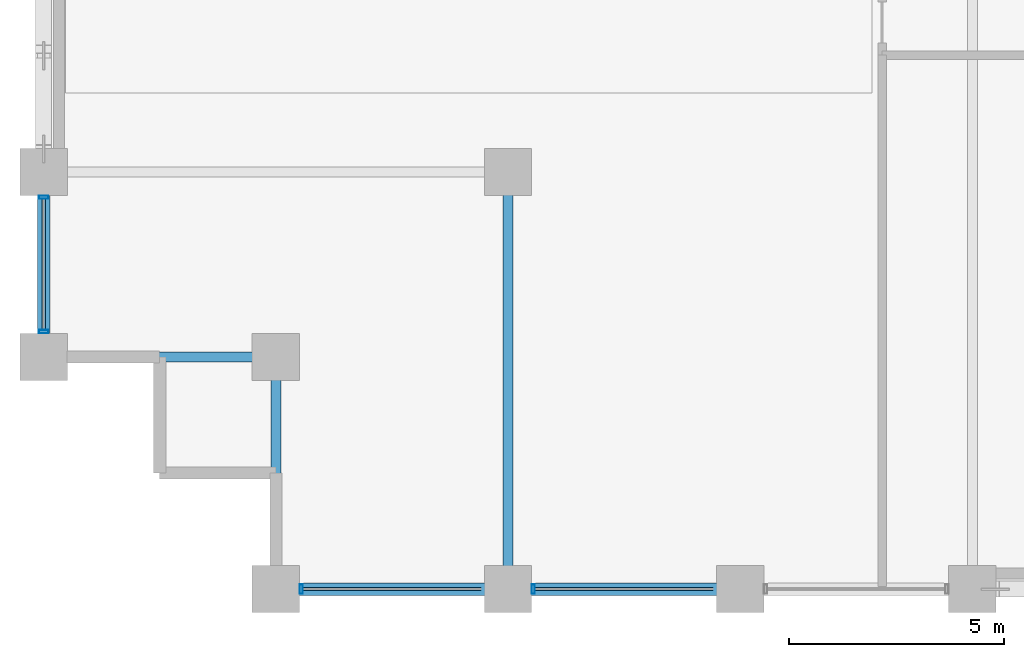
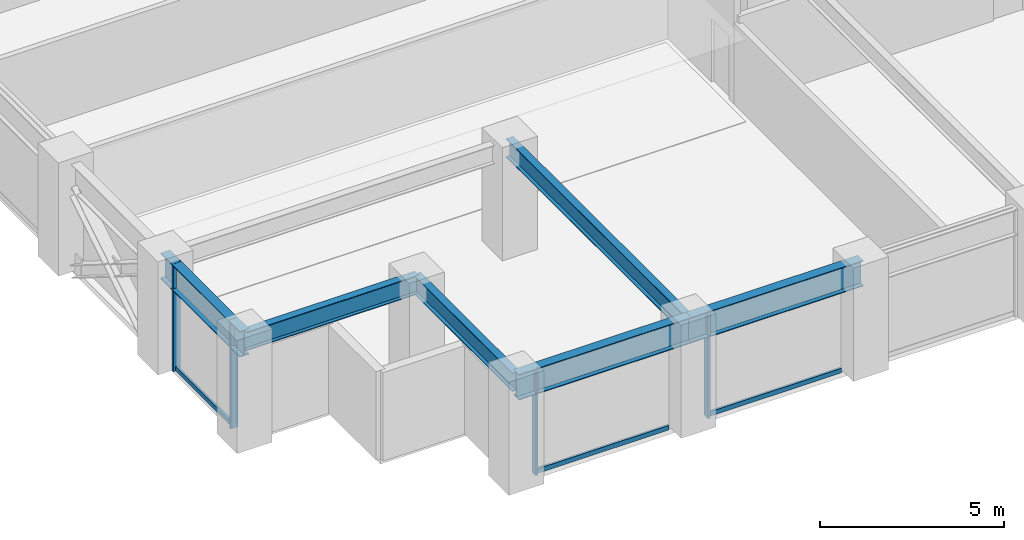
# One storey, part 2 of 25: 7 members, 6 beams, 2 elements without a shape of their own.
"""IFC4 building model written with IfcOpenShell, lengths in metres."""

from ifc_helpers import new_model, si_unit, direction, frame, origin, origin_2d, place, context, subcontext, project, spatial, hollow_rectangle, i_section, extrude, material, layer, layer_set, material_profile, profile_set, type_object, element, aggregate, save


model = new_model("IFC4")

# Units and contexts
model_context = context("Model", 3, precision=1e-05, world=origin(), true_north=direction((0.0, 1.0)))
body_context = subcontext(model_context, "Body", "Model", "MODEL_VIEW")
ifc_project = project(units=[si_unit("LENGTHUNIT", "METRE"), si_unit("AREAUNIT", "SQUARE_METRE"), si_unit("VOLUMEUNIT", "CUBIC_METRE"), si_unit("PLANEANGLEUNIT", "RADIAN"), si_unit("MASSUNIT", "GRAM", prefix="KILO")], contexts=[model_context])

# Site, building, storey
site_placement = place(None, origin())
site = spatial("IfcSite", under=ifc_project, at=site_placement, CompositionType="ELEMENT")
building_placement = place(site_placement, origin())
building = spatial("IfcBuilding", under=site, at=building_placement, Name="Surkhivell Harbour Commons", CompositionType="ELEMENT")
storey_placement = place(building_placement, frame((0.0, 0.0, 109.5)))
storey = spatial("IfcBuildingStorey", under=building, at=storey_placement, Name="L28", CompositionType="ELEMENT", Elevation=109.5)

# Beams
ifc_material_1 = material(Name="Steel S355", Category="steel")
ifc_material_profile_1 = material_profile(ifc_material_1, i_section(OverallWidth=0.22998046875, OverallDepth=0.616943359375, WebThickness=0.01318359375, FlangeThickness=0.022216796875, at=origin_2d()), Name="UB610x229x140")
ifc_profile_set_1 = profile_set([ifc_material_profile_1], Name="Steel S355")
beam_type_1 = type_object("IfcBeamType", Name="BM-GRD-610B", PredefinedType="BEAM", material=ifc_profile_set_1)
for number, where, z_axis, x_axis, name in (
    (1, (-32.39990234375, -20.5, 3.261474609375), (1.0, 0.0, 0.0), (0.0, 1.0, 0.0), "L28 Floor Girder (-32.4,-20.5)"),
    (2, (-27.0, -25.89990234375, 3.261474609375), (0.0, 1.0, 0.0), (-1.0, 0.0, 0.0), "L28 Floor Girder (-27.0,-25.9)"),
):
    element("IfcBeam", number, at=place(storey_placement, frame(where, z_axis=z_axis, x_axis=x_axis)), inside=storey, type_object=beam_type_1, Name=name, PredefinedType="BEAM", context=body_context, shape_type="SweptSolid", body=[
        extrude(i_section(OverallWidth=0.22998046875, OverallDepth=0.616943359375, WebThickness=0.01318359375, FlangeThickness=0.022216796875, at=origin_2d()), origin(), (0.0, 0.0, 1.0), 5.39990234375),
    ])
beam_1_placement = place(storey_placement, frame((-21.60009765625, -25.89990234375, 3.261474609375), z_axis=(0.0, 1.0, 0.0), x_axis=(-1.0, 0.0, 0.0)))
element("IfcBeam", 3, at=beam_1_placement, inside=storey, type_object=beam_type_1, Name="L28 Floor Girder (-21.6,-25.9)", PredefinedType="BEAM", context=body_context, shape_type="SweptSolid", body=[
    extrude(i_section(OverallWidth=0.22998046875, OverallDepth=0.616943359375, WebThickness=0.01318359375, FlangeThickness=0.022216796875, at=origin_2d()), origin(), (0.0, 0.0, 1.0), 9.699951171875),
])
ifc_material_2 = material(Name="Steel S460", Category="steel")
ifc_material_profile_2 = material_profile(ifc_material_2, i_section(OverallWidth=0.2939453125, OverallDepth=0.85107421875, WebThickness=0.01611328125, FlangeThickness=0.02685546875, at=origin_2d()), Name="UB838x292x226")
ifc_profile_set_2 = profile_set([ifc_material_profile_2], Name="Steel S460")
beam_type_2 = type_object("IfcBeamType", Name="BM-SPN-838", PredefinedType="SPANDREL", material=ifc_profile_set_2)
beam_2_placement = place(storey_placement, frame((-32.39990234375, -20.5, 3.14453125), z_axis=(0.0, 1.0, 0.0), x_axis=(-1.0, 0.0, 0.0)))
element("IfcBeam", 4, at=beam_2_placement, inside=storey, type_object=beam_type_2, Name="L28 Tube Spandrel (-32.4,-20.5)", PredefinedType="SPANDREL", context=body_context, shape_type="SweptSolid", body=[
    extrude(i_section(OverallWidth=0.2939453125, OverallDepth=0.85107421875, WebThickness=0.01611328125, FlangeThickness=0.02685546875, at=origin_2d()), origin(), (0.0, 0.0, 1.0), 4.300048828125),
])
beam_3_placement = place(storey_placement, frame((-27.0, -25.89990234375, 3.14453125), z_axis=(1.0, 0.0, 0.0), x_axis=(0.0, 1.0, 0.0)))
element("IfcBeam", 5, at=beam_3_placement, inside=storey, type_object=beam_type_2, Name="L28 Tube Spandrel (-27.0,-25.9)", PredefinedType="SPANDREL", context=body_context, shape_type="SweptSolid", body=[
    extrude(i_section(OverallWidth=0.2939453125, OverallDepth=0.85107421875, WebThickness=0.01611328125, FlangeThickness=0.02685546875, at=origin_2d()), origin(), (0.0, 0.0, 1.0), 5.39990234375),
])
beam_4_placement = place(storey_placement, frame((-21.60009765625, -25.89990234375, 3.14453125), z_axis=(1.0, 0.0, 0.0), x_axis=(0.0, 1.0, 0.0)))
element("IfcBeam", 6, at=beam_4_placement, inside=storey, type_object=beam_type_2, Name="L28 Tube Spandrel (-21.6,-25.9)", PredefinedType="SPANDREL", context=body_context, shape_type="SweptSolid", body=[
    extrude(i_section(OverallWidth=0.2939453125, OverallDepth=0.85107421875, WebThickness=0.01611328125, FlangeThickness=0.02685546875, at=origin_2d()), origin(), (0.0, 0.0, 1.0), 5.400146484375),
])

# Curtain wall, members
ifc_material_3 = material(Name="Anodised pale-metal aluminium and insulated glazing", Category="aluminium")
ifc_layer = layer(ifc_material_3, 0.205078125)
ifc_layer_set = layer_set([ifc_layer], Name="Anodised pale-metal aluminium and insulated glazing")
curtain_wall_type = type_object("IfcCurtainWallType", Name="CW-SYS-Z2", PredefinedType="NOTDEFINED", material=ifc_layer_set)
curtain_wall_1_placement = place(storey_placement, origin())
curtain_wall_1 = element("IfcCurtainWall", 7, at=curtain_wall_1_placement, inside=storey, type_object=curtain_wall_type, Name="L28 Curtain Wall CW-L28-E00S1", PredefinedType="NOTDEFINED")
ifc_material_4 = material(Name="Anodised pale-metal aluminium alloy 6063-T6", Category="aluminium")
ifc_material_profile_3 = material_profile(ifc_material_4, hollow_rectangle(XDim=0.074951171875, YDim=0.219970703125, WallThickness=0.00390625, at=origin_2d()), Name="ALU-MULL-75x220")
ifc_profile_set_3 = profile_set([ifc_material_profile_3], Name="Anodised pale-metal aluminium alloy 6063-T6")
member_type_1 = type_object("IfcMemberType", Name="CWM-220", PredefinedType="MULLION", material=ifc_profile_set_3)
member_1_placement = place(storey_placement, frame((-26.410400390625, -25.89990234375, 0.0), z_axis=(0.0, 0.0, 1.0), x_axis=(1.0, 0.0, 0.0)))
member_1 = element("IfcMember", 8, at=member_1_placement, type_object=member_type_1, Name="CW-Z2 mullion 1", PredefinedType="MULLION", context=body_context, shape_type="SweptSolid", body=[
    extrude(hollow_rectangle(XDim=0.074951171875, YDim=0.219970703125, WallThickness=0.00390625, at=origin_2d()), origin(), (0.0, 0.0, 1.0), 3.570068359375),
])
member_2_placement = place(storey_placement, frame((-21.010498046875, -25.89990234375, 0.0), z_axis=(0.0, 0.0, 1.0), x_axis=(1.0, 0.0, 0.0)))
member_2 = element("IfcMember", 9, at=member_2_placement, type_object=member_type_1, Name="CW-Z2 mullion 2", PredefinedType="MULLION", context=body_context, shape_type="SweptSolid", body=[
    extrude(hollow_rectangle(XDim=0.074951171875, YDim=0.219970703125, WallThickness=0.00390625, at=origin_2d()), origin(), (0.0, 0.0, 1.0), 3.570068359375),
])

curtain_wall_2_placement = place(storey_placement, origin())
curtain_wall_2 = element("IfcCurtainWall", 10, at=curtain_wall_2_placement, inside=storey, type_object=curtain_wall_type, Name="L28 Curtain Wall CW-L28-E12S2", PredefinedType="NOTDEFINED")
member_3_placement = place(storey_placement, frame((-32.39990234375, -16.78955078125, 0.0), z_axis=(0.0, 0.0, 1.0), x_axis=(0.0, -1.0, 0.0)))
member_3 = element("IfcMember", 11, at=member_3_placement, type_object=member_type_1, Name="CW-Z2 mullion 1", PredefinedType="MULLION", context=body_context, shape_type="SweptSolid", body=[
    extrude(hollow_rectangle(XDim=0.074951171875, YDim=0.219970703125, WallThickness=0.00390625, at=origin_2d()), origin(), (0.0, 0.0, 1.0), 3.570068359375),
])
member_4_placement = place(storey_placement, frame((-32.39990234375, -19.910400390625, 0.0), z_axis=(0.0, 0.0, 1.0), x_axis=(0.0, -1.0, 0.0)))
member_4 = element("IfcMember", 12, at=member_4_placement, type_object=member_type_1, Name="CW-Z2 mullion 2", PredefinedType="MULLION", context=body_context, shape_type="SweptSolid", body=[
    extrude(hollow_rectangle(XDim=0.074951171875, YDim=0.219970703125, WallThickness=0.00390625, at=origin_2d()), origin(), (0.0, 0.0, 1.0), 3.570068359375),
])

# Member
ifc_material_profile_4 = material_profile(ifc_material_4, hollow_rectangle(XDim=0.074951171875, YDim=0.14990234375, WallThickness=0.00341796875, at=origin_2d()), Name="ALU-TRAN-75x150")
ifc_profile_set_4 = profile_set([ifc_material_profile_4], Name="Anodised pale-metal aluminium alloy 6063-T6")
member_type_2 = type_object("IfcMemberType", Name="CWT-150", PredefinedType="USERDEFINED", material=ifc_profile_set_4)
member_5_placement = place(storey_placement, frame((-26.373046875, -25.89990234375, 0.074951171875), z_axis=(1.0, 0.0, 0.0), x_axis=(0.0, 1.0, 0.0)))
member_5 = element("IfcMember", 13, at=member_5_placement, type_object=member_type_2, Name="CW-Z2 transom 1.1", ObjectType="TRANSOM", PredefinedType="USERDEFINED", context=body_context, shape_type="SweptSolid", body=[
    extrude(hollow_rectangle(XDim=0.074951171875, YDim=0.14990234375, WallThickness=0.00341796875, at=origin_2d()), origin(), (0.0, 0.0, 1.0), 4.14599609375),
])

member_6_placement = place(storey_placement, frame((-20.972900390625, -25.89990234375, 0.074951171875), z_axis=(1.0, 0.0, 0.0), x_axis=(0.0, 1.0, 0.0)))
member_6 = element("IfcMember", 14, at=member_6_placement, type_object=member_type_2, Name="CW-Z2 transom 2.1", ObjectType="TRANSOM", PredefinedType="USERDEFINED", context=body_context, shape_type="SweptSolid", body=[
    extrude(hollow_rectangle(XDim=0.074951171875, YDim=0.14990234375, WallThickness=0.00341796875, at=origin_2d()), origin(), (0.0, 0.0, 1.0), 4.14599609375),
])

aggregate(curtain_wall_1, [member_1, member_5, member_2, member_6])

member_7_placement = place(storey_placement, frame((-32.39990234375, -16.826904296875, 0.074951171875), z_axis=(0.0, -1.0, 0.0), x_axis=(1.0, 0.0, 0.0)))
member_7 = element("IfcMember", 15, at=member_7_placement, type_object=member_type_2, Name="CW-Z2 transom 1.1", ObjectType="TRANSOM", PredefinedType="USERDEFINED", context=body_context, shape_type="SweptSolid", body=[
    extrude(hollow_rectangle(XDim=0.074951171875, YDim=0.14990234375, WallThickness=0.00341796875, at=origin_2d()), origin(), (0.0, 0.0, 1.0), 3.046142578125),
])

aggregate(curtain_wall_2, [member_3, member_4, member_7])

save(model, "model.ifc")
